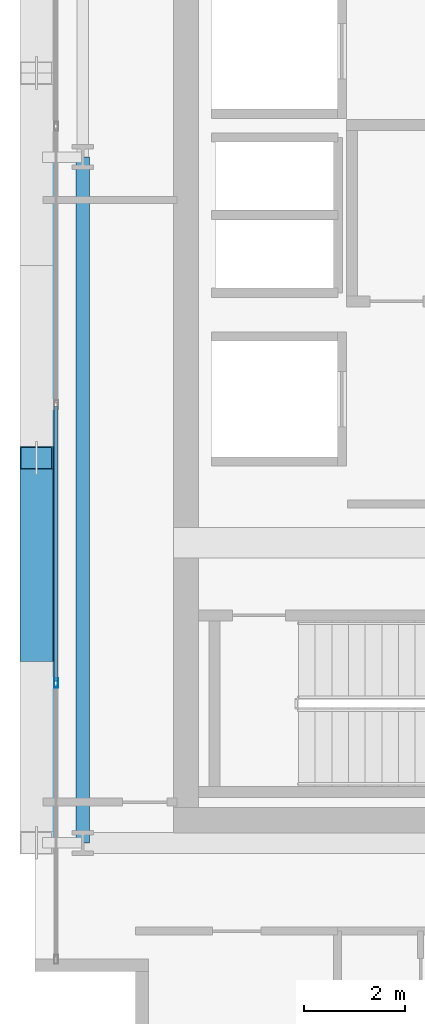
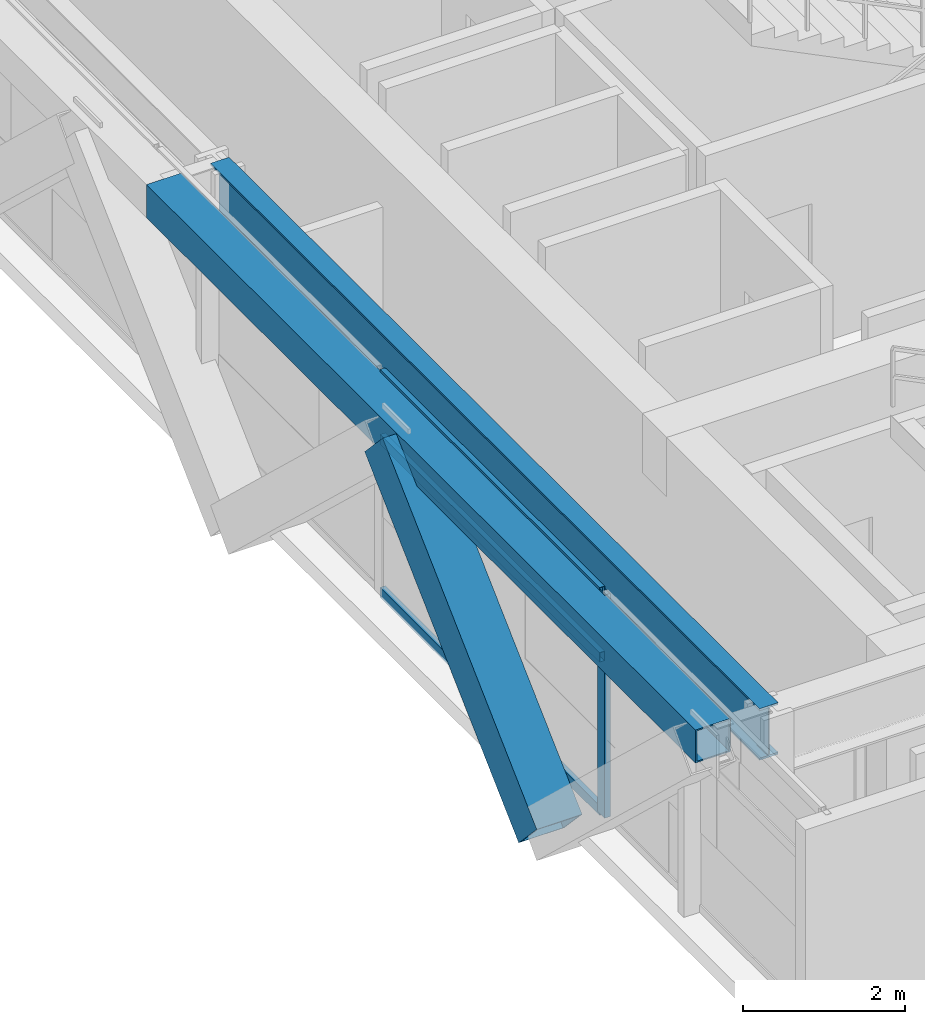
# One storey, part 4 of 32: 5 members, 2 beams, 1 element without a shape of its own.
"""IFC4 building model written with IfcOpenShell, lengths in metres."""

from ifc_helpers import new_model, si_unit, direction, frame, origin, origin_2d, place, context, subcontext, project, spatial, hollow_rectangle, i_section, extrude, source, transform, mapped, material, layer, layer_set, material_profile, profile_set, type_object, element, aggregate, save


model = new_model("IFC4")

# Units and contexts
model_context = context("Model", 3, precision=1e-05, world=origin(), true_north=direction((0.0, 1.0)))
body_context = subcontext(model_context, "Body", "Model", "MODEL_VIEW")
ifc_project = project(units=[si_unit("LENGTHUNIT", "METRE"), si_unit("AREAUNIT", "SQUARE_METRE"), si_unit("VOLUMEUNIT", "CUBIC_METRE"), si_unit("PLANEANGLEUNIT", "RADIAN"), si_unit("MASSUNIT", "GRAM", prefix="KILO")], contexts=[model_context])

# Site, building, storey
site_placement = place(None, origin())
site = spatial("IfcSite", under=ifc_project, at=site_placement, CompositionType="ELEMENT")
building_placement = place(site_placement, origin())
building = spatial("IfcBuilding", under=site, at=building_placement, Name="Ocotamira Hotel", CompositionType="ELEMENT")
storey_placement = place(building_placement, frame((0.0, 0.0, 206.39990234375)))
storey = spatial("IfcBuildingStorey", under=building, at=storey_placement, Name="L52", CompositionType="ELEMENT", Elevation=206.39990234375)

# Beams
ifc_material_1 = material(Name="Steel ASTM A992 Grade 50", Category="steel")
ifc_material_profile_1 = material_profile(ifc_material_1, i_section(OverallWidth=0.26611328125, OverallDepth=0.779052734375, WebThickness=0.0166015625, FlangeThickness=0.030029296875, FilletRadius=0.01806640625, at=origin_2d()), Name="W30X148")
ifc_profile_set_1 = profile_set([ifc_material_profile_1], Name="Steel ASTM A992 Grade 50")
beam_type_1 = type_object("IfcBeamType", Name="BM-GIRD-W30X148", PredefinedType="BEAM", material=ifc_profile_set_1)
shared_shape_1 = source(origin(), body_context, "Body", "SweptSolid", [
    extrude(i_section(OverallWidth=0.26611328125, OverallDepth=0.779052734375, WebThickness=0.0166015625, FlangeThickness=0.030029296875, FilletRadius=0.01806640625, at=origin_2d()), origin(), (0.0, 0.0, 1.0), 13.599853515625),
])
beam_1_placement = place(storey_placement, frame((8.949951171875, 14.550048828125, 2.980712890625), z_axis=(0.0, 1.0, 0.0), x_axis=(-1.0, 0.0, 0.0)))
element("IfcBeam", 1, at=beam_1_placement, inside=storey, type_object=beam_type_1, Name="L52 Beam X8.95 Y14.55-28.15", PredefinedType="BEAM", context=body_context, shape_type="MappedRepresentation", body=[
    mapped(shared_shape_1, transform((0.0, 0.0, 0.0), scale=1.0)),
])
ifc_material_2 = material(Name="Steel ASTM A500 Grade C", Category="steel")
ifc_material_profile_2 = material_profile(ifc_material_2, hollow_rectangle(XDim=0.5, YDim=0.5, WallThickness=0.02001953125, at=origin_2d()), Name="HSS500X500X20")
ifc_profile_set_2 = profile_set([ifc_material_profile_2], Name="Steel ASTM A500 Grade C")
beam_type_2 = type_object("IfcBeamType", Name="BM-SPAN-HSS500", PredefinedType="USERDEFINED", material=ifc_profile_set_2)
shared_shape_2 = source(origin(), body_context, "Body", "SweptSolid", [
    extrude(hollow_rectangle(XDim=0.5, YDim=0.5, WallThickness=0.02001953125, at=origin_2d()), origin(), (0.0, 0.0, 1.0), 13.599853515625),
])
beam_2_placement = place(storey_placement, frame((8.14990234375, 14.550048828125, 3.1201171875), z_axis=(0.0, 1.0, 0.0), x_axis=(-1.0, 0.0, 0.0)))
element("IfcBeam", 2, at=beam_2_placement, inside=storey, type_object=beam_type_2, Name="L52 Edge Spandrel W Y14.55-28.15", ObjectType="SPANDREL", PredefinedType="USERDEFINED", context=body_context, shape_type="MappedRepresentation", body=[
    mapped(shared_shape_2, transform((0.0, 0.0, 0.0), scale=1.0)),
])

# Member
ifc_material_3 = material(Name="Pale-metal coated steel ASTM A913 Grade 65", Category="steel")
ifc_material_profile_3 = material_profile(ifc_material_3, hollow_rectangle(XDim=0.64990234375, YDim=0.64990234375, WallThickness=0.02197265625, at=origin_2d()), Name="BOX650X650X22")
ifc_profile_set_3 = profile_set([ifc_material_profile_3], Name="Pale-metal coated steel ASTM A913 Grade 65")
member_type_1 = type_object("IfcMemberType", Name="MEM-EXO-BOX650", PredefinedType="BRACE", material=ifc_profile_set_3)
shared_shape_3 = source(origin(), body_context, "Body", "SweptSolid", [
    extrude(hollow_rectangle(XDim=0.64990234375, YDim=0.64990234375, WallThickness=0.02197265625, at=origin_2d()), origin(), (0.0, 0.0, 1.0), 5.24658203125),
])
member_1_placement = place(storey_placement, frame((8.030029296875, 18.36669921875, -0.47998046875), z_axis=(0.0, 0.727442733726, 0.686168397078), x_axis=(-1.0, 0.0, 0.0)))
element("IfcMember", 3, at=member_1_placement, inside=storey, type_object=member_type_1, Name="L52 Exoskeleton Diagrid W0.2", PredefinedType="BRACE", context=body_context, shape_type="MappedRepresentation", body=[
    mapped(shared_shape_3, transform((0.0, 0.0, 0.0), scale=1.0)),
])

# Curtain wall, members
ifc_material_4 = material(Name="Anodised pale-metal aluminium and solar glass", Category="aluminium")
ifc_layer = layer(ifc_material_4, 0.199951171875)
ifc_layer_set = layer_set([ifc_layer], Name="Anodised pale-metal aluminium and solar glass")
curtain_wall_type = type_object("IfcCurtainWallType", Name="CW-SYS4-Z3", PredefinedType="NOTDEFINED", material=ifc_layer_set)
curtain_wall_placement = place(storey_placement, origin())
curtain_wall = element("IfcCurtainWall", 4, at=curtain_wall_placement, inside=storey, type_object=curtain_wall_type, Name="L52 Curtain Wall CW-4 CW-L52-W", PredefinedType="NOTDEFINED")
ifc_material_5 = material(Name="Anodised pale-metal aluminium 6063-T6", Category="aluminium")
ifc_material_profile_4 = material_profile(ifc_material_5, hollow_rectangle(XDim=0.080078125, YDim=0.179931640625, WallThickness=0.006103515625, at=origin_2d()), Name="HSS180X80X6")
ifc_profile_set_4 = profile_set([ifc_material_profile_4], Name="Anodised pale-metal aluminium 6063-T6")
member_type_2 = type_object("IfcMemberType", Name="CWM-180X75", PredefinedType="MULLION", material=ifc_profile_set_4)
shared_shape_4 = source(origin(), body_context, "Body", "SweptSolid", [
    extrude(hollow_rectangle(XDim=0.080078125, YDim=0.179931640625, WallThickness=0.006103515625, at=origin_2d()), origin(), (0.0, 0.0, 1.0), 3.3701171875),
])
member_2_placement = place(storey_placement, frame((8.419921875, 17.719970703125, 0.0), z_axis=(0.0, 0.0, 1.0), x_axis=(-1.0, 0.0, 0.0)))
member_2 = element("IfcMember", 5, at=member_2_placement, type_object=member_type_2, Name="CW-4 mullion 2", PredefinedType="MULLION", context=body_context, shape_type="MappedRepresentation", body=[
    mapped(shared_shape_4, transform((0.0, 0.0, 0.0), scale=1.0)),
])
ifc_material_profile_5 = material_profile(ifc_material_5, hollow_rectangle(XDim=0.074951171875, YDim=0.14990234375, WallThickness=0.006103515625, at=origin_2d()), Name="HSS150X75X6")
ifc_profile_set_5 = profile_set([ifc_material_profile_5], Name="Anodised pale-metal aluminium 6063-T6")
member_type_3 = type_object("IfcMemberType", Name="CWT-150X75", PredefinedType="USERDEFINED", material=ifc_profile_set_5)
shared_shape_5 = source(origin(), body_context, "Body", "SweptSolid", [
    extrude(hollow_rectangle(XDim=0.074951171875, YDim=0.14990234375, WallThickness=0.006103515625, at=origin_2d()), origin(), (0.0, 0.0, 1.0), 5.43994140625),
])
member_3_placement = place(storey_placement, frame((8.419921875, 17.760009765625, 0.03759765625), z_axis=(0.0, 1.0, 0.0), x_axis=(-1.0, 0.0, 0.0)))
member_3 = element("IfcMember", 6, at=member_3_placement, type_object=member_type_3, Name="CW-4 transom 2.1", ObjectType="TRANSOM", PredefinedType="USERDEFINED", context=body_context, shape_type="MappedRepresentation", body=[
    mapped(shared_shape_5, transform((0.0, 0.0, 0.0), scale=1.0)),
])
member_4_placement = place(storey_placement, frame((8.419921875, 17.760009765625, 2.35009765625), z_axis=(0.0, 1.0, 0.0), x_axis=(-1.0, 0.0, 0.0)))
member_4 = element("IfcMember", 7, at=member_4_placement, type_object=member_type_3, Name="CW-4 transom 2.2", ObjectType="TRANSOM", PredefinedType="USERDEFINED", context=body_context, shape_type="MappedRepresentation", body=[
    mapped(shared_shape_5, transform((0.0, 0.0, 0.0), scale=1.0)),
])
member_5_placement = place(storey_placement, frame((8.419921875, 17.760009765625, 3.33251953125), z_axis=(0.0, 1.0, 0.0), x_axis=(-1.0, 0.0, 0.0)))
member_5 = element("IfcMember", 8, at=member_5_placement, type_object=member_type_3, Name="CW-4 transom 2.3", ObjectType="TRANSOM", PredefinedType="USERDEFINED", context=body_context, shape_type="MappedRepresentation", body=[
    mapped(shared_shape_5, transform((0.0, 0.0, 0.0), scale=1.0)),
])
aggregate(curtain_wall, [member_2, member_3, member_4, member_5])

save(model, "model.ifc")
